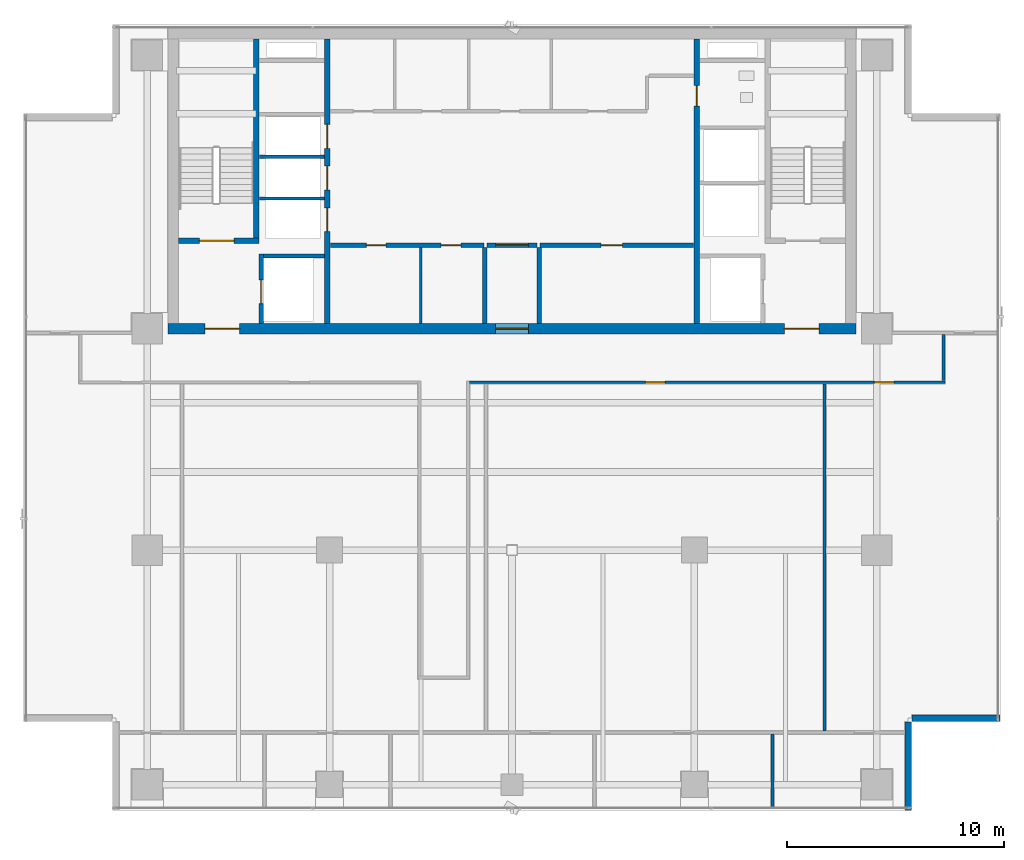
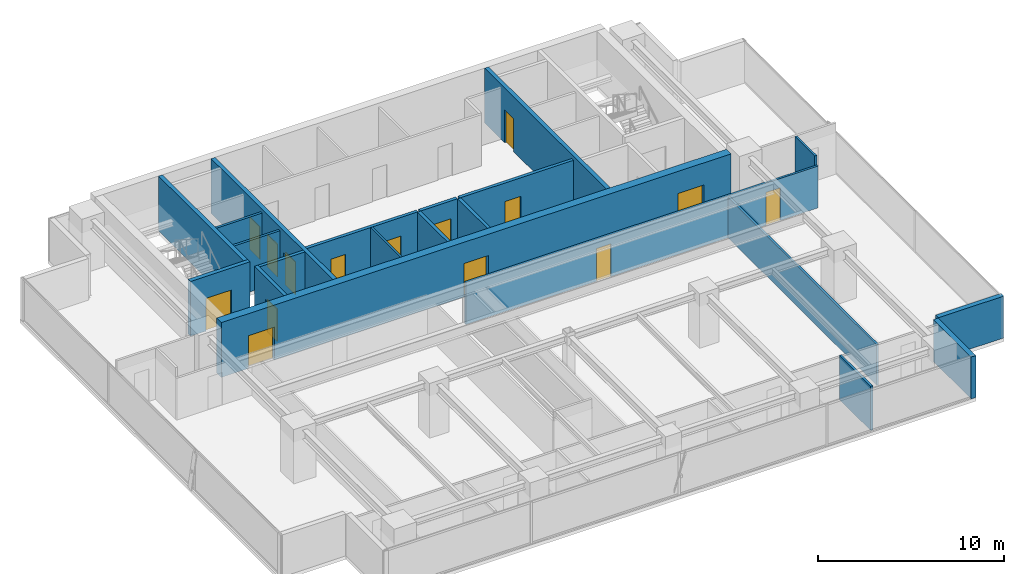
# One storey, part 20 of 25: 21 walls, 15 doors, 15 openings.
"""IFC4 building model written with IfcOpenShell, lengths in metres."""

from ifc_helpers import new_model, si_unit, direction, frame, frame_2d, origin, place, context, subcontext, project, spatial, rectangle, extrude, source, transform, mapped, material, layer, layer_set, type_object, element, fill, save


model = new_model("IFC4")

# Units and contexts
model_context = context("Model", 3, precision=1e-05, world=origin(), true_north=direction((0.0, 1.0)))
body_context = subcontext(model_context, "Body", "Model", "MODEL_VIEW")
ifc_project = project(units=[si_unit("LENGTHUNIT", "METRE"), si_unit("AREAUNIT", "SQUARE_METRE"), si_unit("VOLUMEUNIT", "CUBIC_METRE"), si_unit("PLANEANGLEUNIT", "RADIAN"), si_unit("MASSUNIT", "GRAM", prefix="KILO")], contexts=[model_context])

# Site, building, storey
site_placement = place(None, origin())
site = spatial("IfcSite", under=ifc_project, at=site_placement, CompositionType="ELEMENT")
building_placement = place(site_placement, origin())
building = spatial("IfcBuilding", under=site, at=building_placement, Name="Sumidabori Civic Tower", CompositionType="ELEMENT")
storey_placement = place(building_placement, frame((0.0, 0.0, 232.39990234375)))
storey = spatial("IfcBuildingStorey", under=building, at=storey_placement, Name="L60", CompositionType="ELEMENT", Elevation=232.39990234375)

# Wall
ifc_material_1 = material(Name="Concrete C50/60", Category="concrete")
ifc_layer_1 = layer(ifc_material_1, 0.199951171875, Name="Concrete C50/60")
ifc_layer_set_1 = layer_set([ifc_layer_1], Name="Concrete C50/60")
wall_type_1 = type_object("IfcWallType", Name="WL-SHAFT-200", PredefinedType="SHEAR", material=ifc_layer_set_1)
shared_shape_1 = source(origin(), body_context, "Body", "SweptSolid", [
    extrude(rectangle(XDim=2.824951171875, YDim=0.199951171875, at=frame_2d((1.41259765625, 0.0))), origin(), (0.0, 0.0, 1.0), 3.60009765625),
])
wall_1_placement = place(storey_placement, frame((-11.449951171875, 13.550048828125, 0.0), z_axis=(0.0, 0.0, 1.0), x_axis=(1.0, 0.0, 0.0)))
element("IfcWall", 1, at=wall_1_placement, inside=storey, type_object=wall_type_1, Name="Core Shear Wall L60 EL1-N", PredefinedType="SHEAR", context=body_context, shape_type="MappedRepresentation", body=[
    mapped(shared_shape_1, transform((0.0, 0.0, 0.0), x_axis=(1.0, 0.0, 0.0), y_axis=(0.0, 1.0, 0.0), z_axis=(0.0, 0.0, 1.0), scale=1.0)),
])

# Wall, openings, doors
ifc_layer_2 = layer(ifc_material_1, 0.5, Name="Concrete C50/60")
ifc_layer_set_2 = layer_set([ifc_layer_2], Name="Concrete C50/60")
wall_type_2 = type_object("IfcWallType", Name="WL-CORE-500", PredefinedType="SHEAR", material=ifc_layer_set_2)
shared_shape_2 = source(origin(), body_context, "Body", "SweptSolid", [
    extrude(rectangle(XDim=31.7001953125, YDim=0.5, at=frame_2d((15.85009765625, 0.0))), origin(), (0.0, 0.0, 1.0), 3.60009765625),
])
wall_2_placement = place(storey_placement, frame((-15.85009765625, 10.199951171875, 0.0), z_axis=(0.0, 0.0, 1.0), x_axis=(1.0, 0.0, 0.0)))
wall_2 = element("IfcWall", 2, at=wall_2_placement, inside=storey, type_object=wall_type_2, Name="Core Shear Wall L60 S", PredefinedType="SHEAR", context=body_context, shape_type="MappedRepresentation", body=[
    mapped(shared_shape_2, transform((0.0, 0.0, 0.0), x_axis=(1.0, 0.0, 0.0), y_axis=(0.0, 1.0, 0.0), z_axis=(0.0, 0.0, 1.0), scale=1.0)),
])
opening_1_placement = place(wall_2_placement, frame((1.699951171875, 0.0, 0.0)))
opening_1 = element("IfcOpeningElement", 3, at=opening_1_placement, cuts=wall_2, Name="Opening DR-FD4", PredefinedType="OPENING", context=body_context, shape_type="SweptSolid", body=[
    extrude(rectangle(XDim=1.60009765625, YDim=2.14990234375, at=frame_2d((0.800048828125, 1.074951171875))), frame((0.0, 0.261962890625, 0.0), z_axis=(0.0, -1.0, 0.0), x_axis=(1.0, 0.0, 0.0)), (0.0, 0.0, 1.0), 0.52392578125),
])
opening_2_placement = place(wall_2_placement, frame((28.39990234375, 0.0, 0.0)))
opening_2 = element("IfcOpeningElement", 4, at=opening_2_placement, cuts=wall_2, Name="Opening DR-FD4", PredefinedType="OPENING", context=body_context, shape_type="SweptSolid", body=[
    extrude(rectangle(XDim=1.60009765625, YDim=2.14990234375, at=frame_2d((0.800048828125, 1.074951171875))), frame((0.0, 0.261962890625, 0.0), z_axis=(0.0, -1.0, 0.0), x_axis=(1.0, 0.0, 0.0)), (0.0, 0.0, 1.0), 0.52392578125),
])
opening_3_placement = place(wall_2_placement, frame((15.10009765625, 0.0, 0.0)))
opening_3 = element("IfcOpeningElement", 5, at=opening_3_placement, cuts=wall_2, Name="Opening DR-FD3", PredefinedType="OPENING", context=body_context, shape_type="SweptSolid", body=[
    extrude(rectangle(XDim=1.5, YDim=2.199951171875, at=frame_2d((0.75, 1.10009765625))), frame((0.0, 0.261962890625, 0.0), z_axis=(0.0, -1.0, 0.0), x_axis=(1.0, 0.0, 0.0)), (0.0, 0.0, 1.0), 0.52392578125),
])
ifc_material_2 = material(Name="Steel SN490", Category="steel")
door_type_1 = type_object("IfcDoorType", Name="DR-FD4", OperationType="DOUBLE_DOOR_SINGLE_SWING", PredefinedType="DOOR", material=ifc_material_2)
shared_shape_3 = source(origin(), body_context, "Body", "SweptSolid", [
    extrude(rectangle(XDim=1.60009765625, YDim=2.14990234375, at=frame_2d((0.800048828125, 1.074951171875))), frame((0.0, 0.02490234375, 0.0), z_axis=(0.0, -1.0, 0.0), x_axis=(1.0, 0.0, 0.0)), (0.0, 0.0, 1.0), 0.050048828125),
])
door_1_placement = place(opening_1_placement, origin())
door_1 = element("IfcDoor", 6, at=door_1_placement, inside=storey, type_object=door_type_1, Name="Door DR:L60:ELOB-W", OperationType="DOUBLE_DOOR_SINGLE_SWING", OverallHeight=2.14990234375, OverallWidth=1.60009765625, PredefinedType="DOOR", context=body_context, shape_type="MappedRepresentation", body=[
    mapped(shared_shape_3, transform((0.0, 0.0, 0.0), x_axis=(1.0, 0.0, 0.0), y_axis=(0.0, 1.0, 0.0), z_axis=(0.0, 0.0, 1.0), scale=1.0)),
])
fill(opening_1, door_1)
door_2_placement = place(opening_2_placement, origin())
door_2 = element("IfcDoor", 7, at=door_2_placement, inside=storey, type_object=door_type_1, Name="Door DR:L60:ELOB-E", OperationType="DOUBLE_DOOR_SINGLE_SWING", OverallHeight=2.14990234375, OverallWidth=1.60009765625, PredefinedType="DOOR", context=body_context, shape_type="MappedRepresentation", body=[
    mapped(shared_shape_3, transform((0.0, 0.0, 0.0), x_axis=(1.0, 0.0, 0.0), y_axis=(0.0, 1.0, 0.0), z_axis=(0.0, 0.0, 1.0), scale=1.0)),
])
fill(opening_2, door_2)
door_type_2 = type_object("IfcDoorType", Name="DR-FD-DBL", OperationType="DOUBLE_DOOR_SINGLE_SWING", PredefinedType="DOOR", material=ifc_material_2)
shared_shape_4 = source(origin(), body_context, "Body", "SweptSolid", [
    extrude(rectangle(XDim=1.5, YDim=2.199951171875, at=frame_2d((0.75, 1.10009765625))), frame((0.0, 0.02490234375, 0.0), z_axis=(0.0, -1.0, 0.0), x_axis=(1.0, 0.0, 0.0)), (0.0, 0.0, 1.0), 0.050048828125),
])
door_3_placement = place(opening_3_placement, origin())
door_3 = element("IfcDoor", 8, at=door_3_placement, inside=storey, type_object=door_type_2, Name="Door DR:L60:THROAT-OUT", OperationType="DOUBLE_DOOR_SINGLE_SWING", OverallHeight=2.199951171875, OverallWidth=1.5, PredefinedType="DOOR", context=body_context, shape_type="MappedRepresentation", body=[
    mapped(shared_shape_4, transform((0.0, 0.0, 0.0), x_axis=(1.0, 0.0, 0.0), y_axis=(0.0, 1.0, 0.0), z_axis=(0.0, 0.0, 1.0), scale=1.0)),
])
fill(opening_3, door_3)

ifc_layer_3 = layer(ifc_material_1, 0.25, Name="Concrete C50/60")
ifc_layer_set_3 = layer_set([ifc_layer_3], Name="Concrete C50/60")
wall_type_3 = type_object("IfcWallType", Name="WL-SHAFT-250", PredefinedType="SHEAR", material=ifc_layer_set_3)
shared_shape_5 = source(origin(), body_context, "Body", "SweptSolid", [
    extrude(rectangle(XDim=13.10009765625, YDim=0.25, at=frame_2d((6.550048828125, 0.0))), origin(), (0.0, 0.0, 1.0), 3.60009765625),
])
wall_3_placement = place(storey_placement, frame((-8.5, 10.449951171875, 0.0), z_axis=(0.0, 0.0, 1.0), x_axis=(0.0, 1.0, 0.0)))
wall_3 = element("IfcWall", 9, at=wall_3_placement, inside=storey, type_object=wall_type_3, Name="Core Shear Wall L60 WEB-W", PredefinedType="SHEAR", context=body_context, shape_type="MappedRepresentation", body=[
    mapped(shared_shape_5, transform((0.0, 0.0, 0.0), x_axis=(1.0, 0.0, 0.0), y_axis=(0.0, 1.0, 0.0), z_axis=(0.0, 0.0, 1.0), scale=1.0)),
])
opening_4_placement = place(wall_3_placement, frame((4.219970703125, 0.0, 0.0)))
opening_4 = element("IfcOpeningElement", 10, at=opening_4_placement, cuts=wall_3, Name="Opening LD-1", PredefinedType="OPENING", context=body_context, shape_type="SweptSolid", body=[
    extrude(rectangle(XDim=1.10009765625, YDim=2.14990234375, at=frame_2d((0.550048828125, 1.074951171875))), frame((0.0, 0.136962890625, 0.0), z_axis=(0.0, -1.0, 0.0), x_axis=(1.0, 0.0, 0.0)), (0.0, 0.0, 1.0), 0.27392578125),
])
opening_5_placement = place(wall_3_placement, frame((6.139892578125, 0.0, 0.0)))
opening_5 = element("IfcOpeningElement", 11, at=opening_5_placement, cuts=wall_3, Name="Opening LD-1", PredefinedType="OPENING", context=body_context, shape_type="SweptSolid", body=[
    extrude(rectangle(XDim=1.10009765625, YDim=2.14990234375, at=frame_2d((0.550048828125, 1.074951171875))), frame((0.0, 0.136962890625, 0.0), z_axis=(0.0, -1.0, 0.0), x_axis=(1.0, 0.0, 0.0)), (0.0, 0.0, 1.0), 0.27392578125),
])
opening_6_placement = place(wall_3_placement, frame((8.06005859375, 0.0, 0.0)))
opening_6 = element("IfcOpeningElement", 12, at=opening_6_placement, cuts=wall_3, Name="Opening LD-1", PredefinedType="OPENING", context=body_context, shape_type="SweptSolid", body=[
    extrude(rectangle(XDim=1.10009765625, YDim=2.14990234375, at=frame_2d((0.550048828125, 1.074951171875))), frame((0.0, 0.136962890625, 0.0), z_axis=(0.0, -1.0, 0.0), x_axis=(1.0, 0.0, 0.0)), (0.0, 0.0, 1.0), 0.27392578125),
])
ifc_material_3 = material(Name="Stainless Steel Hairline Finish", Category="steel")
door_type_3 = type_object("IfcDoorType", Name="DR-LD1", OperationType="DOUBLE_DOOR_SLIDING", PredefinedType="DOOR", material=ifc_material_3)
shared_shape_6 = source(origin(), body_context, "Body", "SweptSolid", [
    extrude(rectangle(XDim=1.10009765625, YDim=2.14990234375, at=frame_2d((0.550048828125, 1.074951171875))), frame((0.0, 0.02490234375, 0.0), z_axis=(0.0, -1.0, 0.0), x_axis=(1.0, 0.0, 0.0)), (0.0, 0.0, 1.0), 0.050048828125),
])
door_4_placement = place(opening_4_placement, origin())
door_4 = element("IfcDoor", 13, at=door_4_placement, inside=storey, type_object=door_type_3, Name="Door DR:L60:LD-PLH1", OperationType="DOUBLE_DOOR_SLIDING", OverallHeight=2.14990234375, OverallWidth=1.10009765625, PredefinedType="DOOR", context=body_context, shape_type="MappedRepresentation", body=[
    mapped(shared_shape_6, transform((0.0, 0.0, 0.0), x_axis=(1.0, 0.0, 0.0), y_axis=(0.0, 1.0, 0.0), z_axis=(0.0, 0.0, 1.0), scale=1.0)),
])
fill(opening_4, door_4)
door_5_placement = place(opening_5_placement, origin())
door_5 = element("IfcDoor", 14, at=door_5_placement, inside=storey, type_object=door_type_3, Name="Door DR:L60:LD-PLH2", OperationType="DOUBLE_DOOR_SLIDING", OverallHeight=2.14990234375, OverallWidth=1.10009765625, PredefinedType="DOOR", context=body_context, shape_type="MappedRepresentation", body=[
    mapped(shared_shape_6, transform((0.0, 0.0, 0.0), x_axis=(1.0, 0.0, 0.0), y_axis=(0.0, 1.0, 0.0), z_axis=(0.0, 0.0, 1.0), scale=1.0)),
])
fill(opening_5, door_5)
door_6_placement = place(opening_6_placement, origin())
door_6 = element("IfcDoor", 15, at=door_6_placement, inside=storey, type_object=door_type_3, Name="Door DR:L60:LD-PLH3", OperationType="DOUBLE_DOOR_SLIDING", OverallHeight=2.14990234375, OverallWidth=1.10009765625, PredefinedType="DOOR", context=body_context, shape_type="MappedRepresentation", body=[
    mapped(shared_shape_6, transform((0.0, 0.0, 0.0), x_axis=(1.0, 0.0, 0.0), y_axis=(0.0, 1.0, 0.0), z_axis=(0.0, 0.0, 1.0), scale=1.0)),
])
fill(opening_6, door_6)

# Wall, opening, door
wall_4_placement = place(storey_placement, frame((8.5, 10.449951171875, 0.0), z_axis=(0.0, 0.0, 1.0), x_axis=(0.0, 1.0, 0.0)))
wall_4 = element("IfcWall", 16, at=wall_4_placement, inside=storey, type_object=wall_type_3, Name="Core Shear Wall L60 WEB-E", PredefinedType="SHEAR", context=body_context, shape_type="MappedRepresentation", body=[
    mapped(shared_shape_5, transform((0.0, 0.0, 0.0), x_axis=(1.0, 0.0, 0.0), y_axis=(0.0, 1.0, 0.0), z_axis=(0.0, 0.0, 1.0), scale=1.0)),
])
opening_7_placement = place(wall_4_placement, frame((10.0, 0.0, 0.0)))
opening_7 = element("IfcOpeningElement", 17, at=opening_7_placement, cuts=wall_4, Name="Opening DR-2", PredefinedType="OPENING", context=body_context, shape_type="SweptSolid", body=[
    extrude(rectangle(XDim=0.949951171875, YDim=2.14990234375, at=frame_2d((0.47509765625, 1.074951171875))), frame((0.0, 0.136962890625, 0.0), z_axis=(0.0, -1.0, 0.0), x_axis=(1.0, 0.0, 0.0)), (0.0, 0.0, 1.0), 0.27392578125),
])
ifc_material_4 = material(Name="Japanese Hinoki Timber", Category="wood")
door_type_4 = type_object("IfcDoorType", Name="DR-INT-950", OperationType="NOTDEFINED", PredefinedType="DOOR", material=ifc_material_4)
shared_shape_7 = source(origin(), body_context, "Body", "SweptSolid", [
    extrude(rectangle(XDim=0.949951171875, YDim=2.14990234375, at=frame_2d((0.47509765625, 1.074951171875))), frame((0.0, 0.02490234375, 0.0), z_axis=(0.0, -1.0, 0.0), x_axis=(1.0, 0.0, 0.0)), (0.0, 0.0, 1.0), 0.050048828125),
])
door_7_placement = place(opening_7_placement, origin())
door_7 = element("IfcDoor", 18, at=door_7_placement, inside=storey, type_object=door_type_4, Name="Door DR:L60:WC-ACC", OperationType="SINGLE_SWING_RIGHT", OverallHeight=2.14990234375, OverallWidth=0.949951171875, PredefinedType="DOOR", context=body_context, shape_type="MappedRepresentation", body=[
    mapped(shared_shape_7, transform((0.0, 0.0, 0.0), x_axis=(1.0, 0.0, 0.0), y_axis=(0.0, 1.0, 0.0), z_axis=(0.0, 0.0, 1.0), scale=1.0)),
])
fill(opening_7, door_7)

shared_shape_8 = source(origin(), body_context, "Body", "SweptSolid", [
    extrude(rectangle(XDim=3.705078125, YDim=0.25, at=frame_2d((1.8525390625, 0.0))), origin(), (0.0, 0.0, 1.0), 3.60009765625),
])
wall_5_placement = place(storey_placement, frame((-15.35009765625, 14.25, 0.0), z_axis=(0.0, 0.0, 1.0), x_axis=(1.0, 0.0, 0.0)))
wall_5 = element("IfcWall", 19, at=wall_5_placement, inside=storey, type_object=wall_type_3, Name="Core Shear Wall L60 ST1-S", PredefinedType="SHEAR", context=body_context, shape_type="MappedRepresentation", body=[
    mapped(shared_shape_8, transform((0.0, 0.0, 0.0), x_axis=(1.0, 0.0, 0.0), y_axis=(0.0, 1.0, 0.0), z_axis=(0.0, 0.0, 1.0), scale=1.0)),
])
opening_8_placement = place(wall_5_placement, frame((0.949951171875, 0.0, 0.0)))
opening_8 = element("IfcOpeningElement", 20, at=opening_8_placement, cuts=wall_5, Name="Opening DR-FD4", PredefinedType="OPENING", context=body_context, shape_type="SweptSolid", body=[
    extrude(rectangle(XDim=1.60009765625, YDim=2.14990234375, at=frame_2d((0.800048828125, 1.074951171875))), frame((0.0, 0.136962890625, 0.0), z_axis=(0.0, -1.0, 0.0), x_axis=(1.0, 0.0, 0.0)), (0.0, 0.0, 1.0), 0.27392578125),
])
door_8_placement = place(opening_8_placement, origin())
door_8 = element("IfcDoor", 21, at=door_8_placement, inside=storey, type_object=door_type_1, Name="Door DR:L60:ST1", OperationType="DOUBLE_DOOR_SINGLE_SWING", OverallHeight=2.14990234375, OverallWidth=1.60009765625, PredefinedType="DOOR", context=body_context, shape_type="MappedRepresentation", body=[
    mapped(shared_shape_3, transform((0.0, 0.0, 0.0), x_axis=(1.0, 0.0, 0.0), y_axis=(0.0, 1.0, 0.0), z_axis=(0.0, 0.0, 1.0), scale=1.0)),
])
fill(opening_8, door_8)

# Wall
shared_shape_9 = source(origin(), body_context, "Body", "SweptSolid", [
    extrude(rectangle(XDim=9.175048828125, YDim=0.25, at=frame_2d((4.58740234375, 0.0))), origin(), (0.0, 0.0, 1.0), 3.60009765625),
])
wall_6_placement = place(storey_placement, frame((-11.77001953125, 14.375, 0.0), z_axis=(0.0, 0.0, 1.0), x_axis=(0.0, 1.0, 0.0)))
element("IfcWall", 22, at=wall_6_placement, inside=storey, type_object=wall_type_3, Name="Core Shear Wall L60 ST1-E", PredefinedType="SHEAR", context=body_context, shape_type="MappedRepresentation", body=[
    mapped(shared_shape_9, transform((0.0, 0.0, 0.0), x_axis=(1.0, 0.0, 0.0), y_axis=(0.0, 1.0, 0.0), z_axis=(0.0, 0.0, 1.0), scale=1.0)),
])

# Wall, opening, door
shared_shape_10 = source(origin(), body_context, "Body", "SweptSolid", [
    extrude(rectangle(XDim=3.199951171875, YDim=0.199951171875, at=frame_2d((1.60009765625, 0.0))), origin(), (0.0, 0.0, 1.0), 3.60009765625),
])
wall_7_placement = place(storey_placement, frame((-11.550048828125, 10.449951171875, 0.0), z_axis=(0.0, 0.0, 1.0), x_axis=(0.0, 1.0, 0.0)))
wall_7 = element("IfcWall", 23, at=wall_7_placement, inside=storey, type_object=wall_type_1, Name="Core Shear Wall L60 EL1-W", PredefinedType="SHEAR", context=body_context, shape_type="MappedRepresentation", body=[
    mapped(shared_shape_10, transform((0.0, 0.0, 0.0), x_axis=(1.0, 0.0, 0.0), y_axis=(0.0, 1.0, 0.0), z_axis=(0.0, 0.0, 1.0), scale=1.0)),
])
opening_9_placement = place(wall_7_placement, frame((0.89990234375, 0.0, 0.0)))
opening_9 = element("IfcOpeningElement", 24, at=opening_9_placement, cuts=wall_7, Name="Opening LD-2", PredefinedType="OPENING", context=body_context, shape_type="SweptSolid", body=[
    extrude(rectangle(XDim=1.10009765625, YDim=2.14990234375, at=frame_2d((0.550048828125, 1.074951171875))), frame((0.0, 0.11181640625, 0.0), z_axis=(0.0, -1.0, 0.0), x_axis=(1.0, 0.0, 0.0)), (0.0, 0.0, 1.0), 0.223876953125),
])
door_type_5 = type_object("IfcDoorType", Name="DR-LD2", OperationType="DOUBLE_DOOR_SLIDING", PredefinedType="DOOR", material=ifc_material_3)
door_9_placement = place(opening_9_placement, origin())
door_9 = element("IfcDoor", 25, at=door_9_placement, inside=storey, type_object=door_type_5, Name="Door DR:L60:LD-EL1", OperationType="DOUBLE_DOOR_SLIDING", OverallHeight=2.14990234375, OverallWidth=1.10009765625, PredefinedType="DOOR", context=body_context, shape_type="MappedRepresentation", body=[
    mapped(shared_shape_6, transform((0.0, 0.0, 0.0), x_axis=(1.0, 0.0, 0.0), y_axis=(0.0, 1.0, 0.0), z_axis=(0.0, 0.0, 1.0), scale=1.0)),
])
fill(opening_9, door_9)

# Walls
ifc_material_5 = material(Name="Precast concrete C40/50", Category="concrete")
ifc_layer_4 = layer(ifc_material_5, 0.300048828125, Name="Precast concrete C40/50")
ifc_layer_set_4 = layer_set([ifc_layer_4], Name="Precast concrete C40/50")
wall_type_4 = type_object("IfcWallType", Name="WL-EXT-POD300", PredefinedType="STANDARD", material=ifc_layer_set_4)
shared_shape_11 = source(origin(), body_context, "Body", "SweptSolid", [
    extrude(rectangle(XDim=4.06005859375, YDim=0.300048828125, at=frame_2d((2.030029296875, 0.0))), origin(), (0.0, 0.0, 1.0), 2.75),
])
for number, where, z_axis, x_axis, name in (
    (26, (18.25, -11.97998046875, 0.0), (0.0, 0.0, 1.0), (0.0, 1.0, 0.0), "Notched Corner Spandrel Band L60-02"),
    (27, (18.419921875, -7.75, 0.0), (0.0, 0.0, 1.0), (1.0, 0.0, 0.0), "Notched Corner Spandrel Band L60-03"),
):
    element("IfcWall", number, at=place(storey_placement, frame(where, z_axis=z_axis, x_axis=x_axis)), inside=storey, type_object=wall_type_4, Name=name, PredefinedType="STANDARD", context=body_context, shape_type="MappedRepresentation", body=[
        mapped(shared_shape_11, transform((0.0, 0.0, 0.0), x_axis=(1.0, 0.0, 0.0), y_axis=(0.0, 1.0, 0.0), z_axis=(0.0, 0.0, 1.0), scale=1.0)),
    ])
ifc_material_6 = material(Name="Gypsum Plasterboard Acoustic Partition")
ifc_layer_5 = layer(ifc_material_6, 0.14990234375, Name="Gypsum Plasterboard Acoustic Partition")
ifc_layer_set_5 = layer_set([ifc_layer_5], Name="Gypsum Plasterboard Acoustic Partition")
wall_type_5 = type_object("IfcWallType", Name="WL-PART-150", PredefinedType="PARTITIONING", material=ifc_layer_set_5)
shared_shape_12 = source(origin(), body_context, "Body", "SweptSolid", [
    extrude(rectangle(XDim=3.010009765625, YDim=0.14990234375, at=frame_2d((1.5048828125, 0.0))), origin(), (0.0, 0.0, 1.0), 3.3701171875),
])
for number, where, z_axis, x_axis, name in (
    (28, (-11.639892578125, 16.199951171875, 0.0), (0.0, 0.0, 1.0), (1.0, 0.0, 0.0), "Interior Partition WL:L60:DIV-PLH1"),
    (29, (-11.639892578125, 18.1201171875, 0.0), (0.0, 0.0, 1.0), (1.0, 0.0, 0.0), "Interior Partition WL:L60:DIV-PLH2"),
):
    element("IfcWall", number, at=place(storey_placement, frame(where, z_axis=z_axis, x_axis=x_axis)), inside=storey, type_object=wall_type_5, Name=name, PredefinedType="PARTITIONING", context=body_context, shape_type="MappedRepresentation", body=[
        mapped(shared_shape_12, transform((0.0, 0.0, 0.0), x_axis=(1.0, 0.0, 0.0), y_axis=(0.0, 1.0, 0.0), z_axis=(0.0, 0.0, 1.0), scale=1.0)),
    ])

# Wall, openings, doors
ifc_material_7 = material(Name="Gypsum Plasterboard Fire Partition")
ifc_layer_6 = layer(ifc_material_7, 0.199951171875, Name="Gypsum Plasterboard Fire Partition")
ifc_layer_set_6 = layer_set([ifc_layer_6], Name="Gypsum Plasterboard Fire Partition")
wall_type_6 = type_object("IfcWallType", Name="WL-PART-FIRE", PredefinedType="PARTITIONING", material=ifc_layer_set_6)
shared_shape_13 = source(origin(), body_context, "Body", "SweptSolid", [
    extrude(rectangle(XDim=7.070068359375, YDim=0.199951171875, at=frame_2d((3.53515625, 0.0))), origin(), (0.0, 0.0, 1.0), 3.3701171875),
])
wall_8_placement = place(storey_placement, frame((-8.3701171875, 14.050048828125, 0.0), z_axis=(0.0, 0.0, 1.0), x_axis=(1.0, 0.0, 0.0)))
wall_8 = element("IfcWall", 30, at=wall_8_placement, inside=storey, type_object=wall_type_6, Name="Interior Partition WL:L60:CBAND-SW", PredefinedType="PARTITIONING", context=body_context, shape_type="MappedRepresentation", body=[
    mapped(shared_shape_13, transform((0.0, 0.0, 0.0), x_axis=(1.0, 0.0, 0.0), y_axis=(0.0, 1.0, 0.0), z_axis=(0.0, 0.0, 1.0), scale=1.0)),
])
opening_10_placement = place(wall_8_placement, frame((1.659912109375, 0.0, 0.0)))
opening_10 = element("IfcOpeningElement", 31, at=opening_10_placement, cuts=wall_8, Name="Opening DR-1", PredefinedType="OPENING", context=body_context, shape_type="SweptSolid", body=[
    extrude(rectangle(XDim=0.89990234375, YDim=2.14990234375, at=frame_2d((0.449951171875, 1.074951171875))), frame((0.0, 0.11181640625, 0.0), z_axis=(0.0, -1.0, 0.0), x_axis=(1.0, 0.0, 0.0)), (0.0, 0.0, 1.0), 0.223876953125),
])
opening_11_placement = place(wall_8_placement, frame((5.110107421875, 0.0, 0.0)))
opening_11 = element("IfcOpeningElement", 32, at=opening_11_placement, cuts=wall_8, Name="Opening DR-1", PredefinedType="OPENING", context=body_context, shape_type="SweptSolid", body=[
    extrude(rectangle(XDim=0.89990234375, YDim=2.14990234375, at=frame_2d((0.449951171875, 1.074951171875))), frame((0.0, 0.11181640625, 0.0), z_axis=(0.0, -1.0, 0.0), x_axis=(1.0, 0.0, 0.0)), (0.0, 0.0, 1.0), 0.223876953125),
])
door_type_6 = type_object("IfcDoorType", Name="DR-INT-900", OperationType="NOTDEFINED", PredefinedType="DOOR", material=ifc_material_4)
shared_shape_14 = source(origin(), body_context, "Body", "SweptSolid", [
    extrude(rectangle(XDim=0.89990234375, YDim=2.14990234375, at=frame_2d((0.449951171875, 1.074951171875))), frame((0.0, 0.02490234375, 0.0), z_axis=(0.0, -1.0, 0.0), x_axis=(1.0, 0.0, 0.0)), (0.0, 0.0, 1.0), 0.050048828125),
])
door_10_placement = place(opening_10_placement, origin())
door_10 = element("IfcDoor", 33, at=door_10_placement, inside=storey, type_object=door_type_6, Name="Door DR:L60:REC-B1A", OperationType="SINGLE_SWING_LEFT", OverallHeight=2.14990234375, OverallWidth=0.89990234375, PredefinedType="DOOR", context=body_context, shape_type="MappedRepresentation", body=[
    mapped(shared_shape_14, transform((0.0, 0.0, 0.0), x_axis=(1.0, 0.0, 0.0), y_axis=(0.0, 1.0, 0.0), z_axis=(0.0, 0.0, 1.0), scale=1.0)),
])
fill(opening_10, door_10)
door_11_placement = place(opening_11_placement, origin())
door_11 = element("IfcDoor", 34, at=door_11_placement, inside=storey, type_object=door_type_6, Name="Door DR:L60:REC-B1B", OperationType="SINGLE_SWING_RIGHT", OverallHeight=2.14990234375, OverallWidth=0.89990234375, PredefinedType="DOOR", context=body_context, shape_type="MappedRepresentation", body=[
    mapped(shared_shape_14, transform((0.0, 0.0, 0.0), x_axis=(1.0, 0.0, 0.0), y_axis=(0.0, 1.0, 0.0), z_axis=(0.0, 0.0, 1.0), scale=1.0)),
])
fill(opening_11, door_11)

# Wall, opening, door
wall_9_placement = place(storey_placement, frame((1.300048828125, 14.050048828125, 0.0), z_axis=(0.0, 0.0, 1.0), x_axis=(1.0, 0.0, 0.0)))
wall_9 = element("IfcWall", 35, at=wall_9_placement, inside=storey, type_object=wall_type_6, Name="Interior Partition WL:L60:CBAND-SE", PredefinedType="PARTITIONING", context=body_context, shape_type="MappedRepresentation", body=[
    mapped(shared_shape_13, transform((0.0, 0.0, 0.0), x_axis=(1.0, 0.0, 0.0), y_axis=(0.0, 1.0, 0.0), z_axis=(0.0, 0.0, 1.0), scale=1.0)),
])
opening_12_placement = place(wall_9_placement, frame((2.800048828125, 0.0, 0.0)))
opening_12 = element("IfcOpeningElement", 36, at=opening_12_placement, cuts=wall_9, Name="Opening DR-3", PredefinedType="OPENING", context=body_context, shape_type="SweptSolid", body=[
    extrude(rectangle(XDim=0.97998046875, YDim=2.14990234375, at=frame_2d((0.489990234375, 1.074951171875))), frame((0.0, 0.11181640625, 0.0), z_axis=(0.0, -1.0, 0.0), x_axis=(1.0, 0.0, 0.0)), (0.0, 0.0, 1.0), 0.223876953125),
])
door_type_7 = type_object("IfcDoorType", Name="DR-INT-980", OperationType="NOTDEFINED", PredefinedType="DOOR", material=ifc_material_4)
shared_shape_15 = source(origin(), body_context, "Body", "SweptSolid", [
    extrude(rectangle(XDim=0.97998046875, YDim=2.14990234375, at=frame_2d((0.489990234375, 1.074951171875))), frame((0.0, 0.02490234375, 0.0), z_axis=(0.0, -1.0, 0.0), x_axis=(1.0, 0.0, 0.0)), (0.0, 0.0, 1.0), 0.050048828125),
])
door_12_placement = place(opening_12_placement, origin())
door_12 = element("IfcDoor", 37, at=door_12_placement, inside=storey, type_object=door_type_7, Name="Door DR:L60:REC-B2", OperationType="SINGLE_SWING_RIGHT", OverallHeight=2.14990234375, OverallWidth=0.97998046875, PredefinedType="DOOR", context=body_context, shape_type="MappedRepresentation", body=[
    mapped(shared_shape_15, transform((0.0, 0.0, 0.0), x_axis=(1.0, 0.0, 0.0), y_axis=(0.0, 1.0, 0.0), z_axis=(0.0, 0.0, 1.0), scale=1.0)),
])
fill(opening_12, door_12)

# Walls
shared_shape_16 = source(origin(), body_context, "Body", "SweptSolid", [
    extrude(rectangle(XDim=3.489990234375, YDim=0.199951171875, at=frame_2d((1.7451171875, 0.0))), origin(), (0.0, 0.0, 1.0), 3.3701171875),
])
for number, where, z_axis, x_axis, name in (
    (38, (-1.25, 10.449951171875, 0.0), (0.0, 0.0, 1.0), (0.0, 1.0, 0.0), "Interior Partition WL:L60:THROAT-W"),
    (39, (1.25, 10.449951171875, 0.0), (0.0, 0.0, 1.0), (0.0, 1.0, 0.0), "Interior Partition WL:L60:THROAT-E"),
):
    element("IfcWall", number, at=place(storey_placement, frame(where, z_axis=z_axis, x_axis=x_axis)), inside=storey, type_object=wall_type_6, Name=name, PredefinedType="PARTITIONING", context=body_context, shape_type="MappedRepresentation", body=[
        mapped(shared_shape_16, transform((0.0, 0.0, 0.0), x_axis=(1.0, 0.0, 0.0), y_axis=(0.0, 1.0, 0.0), z_axis=(0.0, 0.0, 1.0), scale=1.0)),
    ])

# Wall, opening, door
shared_shape_17 = source(origin(), body_context, "Body", "SweptSolid", [
    extrude(rectangle(XDim=2.2998046875, YDim=0.199951171875, at=frame_2d((1.14990234375, 0.0))), origin(), (0.0, 0.0, 1.0), 3.3701171875),
])
wall_10_placement = place(storey_placement, frame((-1.14990234375, 14.050048828125, 0.0), z_axis=(0.0, 0.0, 1.0), x_axis=(1.0, 0.0, 0.0)))
wall_10 = element("IfcWall", 40, at=wall_10_placement, inside=storey, type_object=wall_type_6, Name="Interior Partition WL:L60:THROAT-N", PredefinedType="PARTITIONING", context=body_context, shape_type="MappedRepresentation", body=[
    mapped(shared_shape_17, transform((0.0, 0.0, 0.0), x_axis=(1.0, 0.0, 0.0), y_axis=(0.0, 1.0, 0.0), z_axis=(0.0, 0.0, 1.0), scale=1.0)),
])
opening_13_placement = place(wall_10_placement, frame((0.39990234375, 0.0, 0.0)))
opening_13 = element("IfcOpeningElement", 41, at=opening_13_placement, cuts=wall_10, Name="Opening DR-FD3", PredefinedType="OPENING", context=body_context, shape_type="SweptSolid", body=[
    extrude(rectangle(XDim=1.5, YDim=2.199951171875, at=frame_2d((0.75, 1.10009765625))), frame((0.0, 0.11181640625, 0.0), z_axis=(0.0, -1.0, 0.0), x_axis=(1.0, 0.0, 0.0)), (0.0, 0.0, 1.0), 0.223876953125),
])
door_13_placement = place(opening_13_placement, origin())
door_13 = element("IfcDoor", 42, at=door_13_placement, inside=storey, type_object=door_type_2, Name="Door DR:L60:THROAT-IN", OperationType="DOUBLE_DOOR_SINGLE_SWING", OverallHeight=2.199951171875, OverallWidth=1.5, PredefinedType="DOOR", context=body_context, shape_type="MappedRepresentation", body=[
    mapped(shared_shape_4, transform((0.0, 0.0, 0.0), x_axis=(1.0, 0.0, 0.0), y_axis=(0.0, 1.0, 0.0), z_axis=(0.0, 0.0, 1.0), scale=1.0)),
])
fill(opening_13, door_13)

# Wall
ifc_layer_7 = layer(ifc_material_6, 0.1201171875, Name="Gypsum Plasterboard Acoustic Partition")
ifc_layer_set_7 = layer_set([ifc_layer_7], Name="Gypsum Plasterboard Acoustic Partition")
wall_type_7 = type_object("IfcWallType", Name="WL-PART-120", PredefinedType="PARTITIONING", material=ifc_layer_set_7)
shared_shape_18 = source(origin(), body_context, "Body", "SweptSolid", [
    extrude(rectangle(XDim=3.489990234375, YDim=0.1201171875, at=frame_2d((1.7451171875, 0.0))), origin(), (0.0, 0.0, 1.0), 3.3701171875),
])
wall_11_placement = place(storey_placement, frame((-4.199951171875, 10.449951171875, 0.0), z_axis=(0.0, 0.0, 1.0), x_axis=(0.0, 1.0, 0.0)))
element("IfcWall", 43, at=wall_11_placement, inside=storey, type_object=wall_type_7, Name="Interior Partition WL:L60:REC-B1-SP", PredefinedType="PARTITIONING", context=body_context, shape_type="MappedRepresentation", body=[
    mapped(shared_shape_18, transform((0.0, 0.0, 0.0), x_axis=(1.0, 0.0, 0.0), y_axis=(0.0, 1.0, 0.0), z_axis=(0.0, 0.0, 1.0), scale=1.0)),
])

# Wall, openings, doors
ifc_layer_8 = layer(ifc_material_6, 0.135009765625, Name="Gypsum Plasterboard Acoustic Partition")
ifc_layer_set_8 = layer_set([ifc_layer_8], Name="Gypsum Plasterboard Acoustic Partition")
wall_type_8 = type_object("IfcWallType", Name="WL-PART-135", PredefinedType="PARTITIONING", material=ifc_layer_set_8)
shared_shape_19 = source(origin(), body_context, "Body", "SweptSolid", [
    extrude(rectangle(XDim=21.900146484375, YDim=0.135009765625, at=frame_2d((10.9501953125, 0.0))), origin(), (0.0, 0.0, 1.0), 2.755126953125),
])
wall_12_placement = place(storey_placement, frame((-1.965087890625, 7.732421875, 0.0), z_axis=(0.0, 0.0, 1.0), x_axis=(1.0, 0.0, 0.0)))
wall_12 = element("IfcWall", 44, at=wall_12_placement, inside=storey, type_object=wall_type_8, Name="Interior Partition WL:L60:CORR-SE", PredefinedType="PARTITIONING", context=body_context, shape_type="MappedRepresentation", body=[
    mapped(shared_shape_19, transform((0.0, 0.0, 0.0), x_axis=(1.0, 0.0, 0.0), y_axis=(0.0, 1.0, 0.0), z_axis=(0.0, 0.0, 1.0), scale=1.0)),
])
opening_14_placement = place(wall_12_placement, frame((18.65625, 0.0, 0.0)))
opening_14 = element("IfcOpeningElement", 45, at=opening_14_placement, cuts=wall_12, Name="Opening DR-1", PredefinedType="OPENING", context=body_context, shape_type="SweptSolid", body=[
    extrude(rectangle(XDim=0.89990234375, YDim=2.14990234375, at=frame_2d((0.449951171875, 1.074951171875))), frame((0.0, 0.07958984375, 0.0), z_axis=(0.0, -1.0, 0.0), x_axis=(1.0, 0.0, 0.0)), (0.0, 0.0, 1.0), 0.158935546875),
])
opening_15_placement = place(wall_12_placement, frame((8.114990234375, 0.0, 0.0)))
opening_15 = element("IfcOpeningElement", 46, at=opening_15_placement, cuts=wall_12, Name="Opening DR-1", PredefinedType="OPENING", context=body_context, shape_type="SweptSolid", body=[
    extrude(rectangle(XDim=0.89990234375, YDim=2.14990234375, at=frame_2d((0.449951171875, 1.074951171875))), frame((0.0, 0.07958984375, 0.0), z_axis=(0.0, -1.0, 0.0), x_axis=(1.0, 0.0, 0.0)), (0.0, 0.0, 1.0), 0.158935546875),
])
door_14_placement = place(opening_14_placement, origin())
door_14 = element("IfcDoor", 47, at=door_14_placement, inside=storey, type_object=door_type_6, Name="Door DR:L60:D02", OperationType="SINGLE_SWING_RIGHT", OverallHeight=2.14990234375, OverallWidth=0.89990234375, PredefinedType="DOOR", context=body_context, shape_type="MappedRepresentation", body=[
    mapped(shared_shape_14, transform((0.0, 0.0, 0.0), x_axis=(1.0, 0.0, 0.0), y_axis=(0.0, 1.0, 0.0), z_axis=(0.0, 0.0, 1.0), scale=1.0)),
])
fill(opening_14, door_14)
door_15_placement = place(opening_15_placement, origin())
door_15 = element("IfcDoor", 48, at=door_15_placement, inside=storey, type_object=door_type_6, Name="Door DR:L60:D03", OperationType="SINGLE_SWING_LEFT", OverallHeight=2.14990234375, OverallWidth=0.89990234375, PredefinedType="DOOR", context=body_context, shape_type="MappedRepresentation", body=[
    mapped(shared_shape_14, transform((0.0, 0.0, 0.0), x_axis=(1.0, 0.0, 0.0), y_axis=(0.0, 1.0, 0.0), z_axis=(0.0, 0.0, 1.0), scale=1.0)),
])
fill(opening_15, door_15)

# Walls
shared_shape_20 = source(origin(), body_context, "Body", "SweptSolid", [
    extrude(rectangle(XDim=2.12255859375, YDim=0.135009765625, at=frame_2d((1.061279296875, 0.0))), origin(), (0.0, 0.0, 1.0), 3.3701171875),
])
wall_13_placement = place(storey_placement, frame((19.867431640625, 7.804931640625, 0.0), z_axis=(0.0, 0.0, 1.0), x_axis=(0.0, 1.0, 0.0)))
element("IfcWall", 49, at=wall_13_placement, inside=storey, type_object=wall_type_8, Name="Interior Partition WL:L60:CORR-VNE", PredefinedType="PARTITIONING", context=body_context, shape_type="MappedRepresentation", body=[
    mapped(shared_shape_20, transform((0.0, 0.0, 0.0), x_axis=(1.0, 0.0, 0.0), y_axis=(0.0, 1.0, 0.0), z_axis=(0.0, 0.0, 1.0), scale=1.0)),
])
shared_shape_21 = source(origin(), body_context, "Body", "SweptSolid", [
    extrude(rectangle(XDim=15.9873046875, YDim=0.135009765625, at=frame_2d((7.99365234375, 0.0))), origin(), (0.0, 0.0, 1.0), 2.655029296875),
])
wall_14_placement = place(storey_placement, frame((14.39990234375, -8.327392578125, 0.0), z_axis=(0.0, 0.0, 1.0), x_axis=(0.0, 1.0, 0.0)))
element("IfcWall", 50, at=wall_14_placement, inside=storey, type_object=wall_type_8, Name="Interior Partition WL:L60:VX-N3", PredefinedType="PARTITIONING", context=body_context, shape_type="MappedRepresentation", body=[
    mapped(shared_shape_21, transform((0.0, 0.0, 0.0), x_axis=(1.0, 0.0, 0.0), y_axis=(0.0, 1.0, 0.0), z_axis=(0.0, 0.0, 1.0), scale=1.0)),
])
shared_shape_22 = source(origin(), body_context, "Body", "SweptSolid", [
    extrude(rectangle(XDim=3.377685546875, YDim=0.135009765625, at=frame_2d((1.68896484375, 0.0))), origin(), (0.0, 0.0, 1.0), 2.905029296875),
])
wall_15_placement = place(storey_placement, frame((12.0, -11.85009765625, 0.0), z_axis=(0.0, 0.0, 1.0), x_axis=(0.0, 1.0, 0.0)))
element("IfcWall", 51, at=wall_15_placement, inside=storey, type_object=wall_type_8, Name="Interior Partition WL:L60:VX-S4", PredefinedType="PARTITIONING", context=body_context, shape_type="MappedRepresentation", body=[
    mapped(shared_shape_22, transform((0.0, 0.0, 0.0), x_axis=(1.0, 0.0, 0.0), y_axis=(0.0, 1.0, 0.0), z_axis=(0.0, 0.0, 1.0), scale=1.0)),
])

save(model, "model.ifc")
